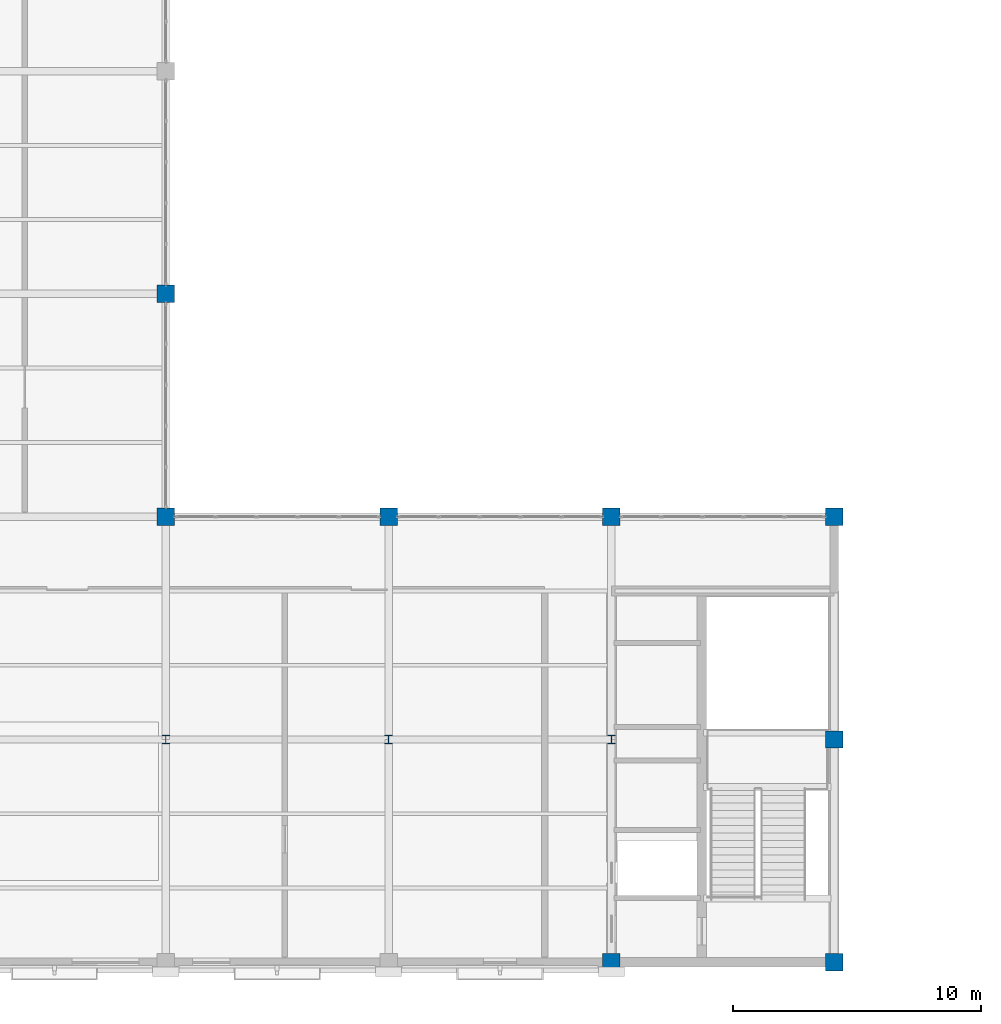
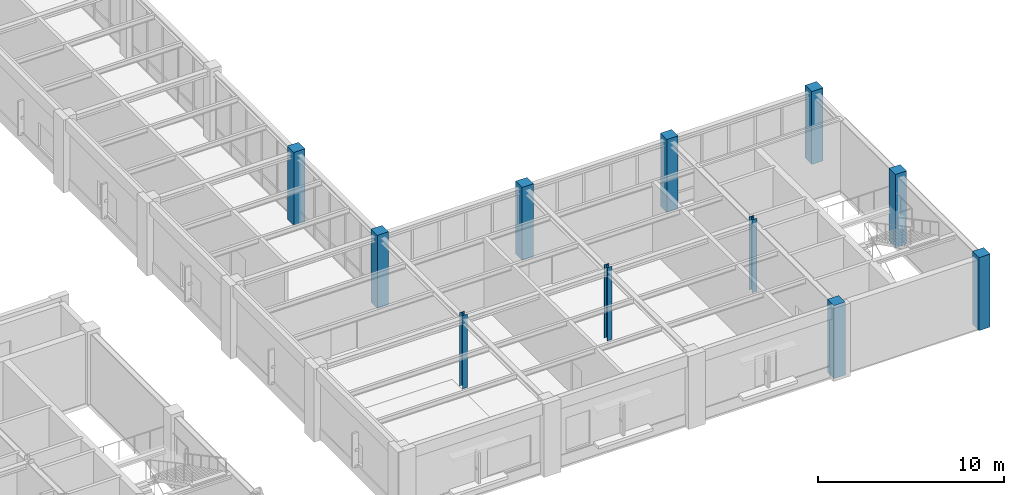
# One storey, part 6 of 98: 11 columns.
"""IFC4 building model written with IfcOpenShell, lengths in metres."""

from ifc_helpers import new_model, si_unit, direction, frame, origin, origin_2d, place, context, subcontext, project, spatial, rectangle, i_section, extrude, material, material_profile, profile_set, type_object, element, save


model = new_model("IFC4")

# Units and contexts
model_context = context("Model", 3, precision=1e-05, world=origin(), true_north=direction((0.0, 1.0)))
body_context = subcontext(model_context, "Body", "Model", "MODEL_VIEW")
ifc_project = project(units=[si_unit("LENGTHUNIT", "METRE"), si_unit("AREAUNIT", "SQUARE_METRE"), si_unit("VOLUMEUNIT", "CUBIC_METRE"), si_unit("PLANEANGLEUNIT", "RADIAN"), si_unit("MASSUNIT", "GRAM", prefix="KILO")], contexts=[model_context])

# Site, building, storey
site_placement = place(None, origin())
site = spatial("IfcSite", under=ifc_project, at=site_placement, CompositionType="ELEMENT")
building_placement = place(site_placement, origin())
building = spatial("IfcBuilding", under=site, at=building_placement, Name="Lykobir Media Centre", CompositionType="ELEMENT")
storey_placement = place(building_placement, frame((0.0, 0.0, 10.199951171875)))
storey = spatial("IfcBuildingStorey", under=building, at=storey_placement, Name="L02", CompositionType="ELEMENT", Elevation=10.199951171875)

# Columns
ifc_material_1 = material(Name="Concrete C40/50", Category="concrete")
ifc_material_profile_1 = material_profile(ifc_material_1, rectangle(XDim=0.699951171875, YDim=0.699951171875, at=origin_2d()), Name="RC 700x700")
ifc_profile_set_1 = profile_set([ifc_material_profile_1], Name="Concrete C40/50")
column_type_1 = type_object("IfcColumnType", Name="RC-C700", PredefinedType="COLUMN", material=ifc_profile_set_1)
for number, where, z_axis, x_axis, name in (
    (1, (99.0, 18.0, 0.0), (0.0, 0.0, 1.0), (1.0, 0.0, 0.0), "Column COL-L02-0990-0180"),
    (2, (99.0, 27.0, 0.0), (0.0, 0.0, 1.0), (1.0, 0.0, 0.0), "Column COL-L02-0990-0270"),
    (3, (108.0, 18.0, 0.0), (0.0, 0.0, 1.0), (1.0, 0.0, 0.0), "Column COL-L02-1080-0180"),
    (4, (117.0, 18.0, 0.0), (0.0, 0.0, 1.0), (1.0, 0.0, 0.0), "Column COL-L02-1170-0180"),
    (5, (126.0, 9.0, 0.0), (0.0, 0.0, 1.0), (1.0, 0.0, 0.0), "Column COL-L02-1260-0090"),
    (6, (126.0, 18.0, 0.0), (0.0, 0.0, 1.0), (1.0, 0.0, 0.0), "Column COL-L02-1260-0180"),
):
    element("IfcColumn", number, at=place(storey_placement, frame(where, z_axis=z_axis, x_axis=x_axis)), inside=storey, type_object=column_type_1, Name=name, PredefinedType="COLUMN", context=body_context, shape_type="SweptSolid", body=[
        extrude(rectangle(XDim=0.699951171875, YDim=0.699951171875, at=origin_2d()), origin(), (0.0, 0.0, 1.0), 4.800048828125),
    ])
ifc_material_profile_2 = material_profile(ifc_material_1, rectangle(XDim=0.699951171875, YDim=0.699951171875, at=origin_2d()), Name="RC 700x700")
ifc_profile_set_2 = profile_set([ifc_material_profile_2], Name="Concrete C40/50")
column_type_2 = type_object("IfcColumnType", Name="RC-C700-E", PredefinedType="COLUMN", material=ifc_profile_set_2)
for number, where, z_axis, x_axis, name in (
    (7, (117.0, 0.0, 0.0), (0.0, 0.0, 1.0), (1.0, 0.0, 0.0), "Column COL-L02-1170-0000"),
    (8, (126.0, 0.0, 0.0), (0.0, 0.0, 1.0), (1.0, 0.0, 0.0), "Column COL-L02-1260-0000"),
):
    element("IfcColumn", number, at=place(storey_placement, frame(where, z_axis=z_axis, x_axis=x_axis)), inside=storey, type_object=column_type_2, Name=name, PredefinedType="COLUMN", context=body_context, shape_type="SweptSolid", body=[
        extrude(rectangle(XDim=0.699951171875, YDim=0.699951171875, at=origin_2d()), origin(), (0.0, 0.0, 1.0), 4.800048828125),
    ])
ifc_material_2 = material(Name="Steel S355", Category="steel")
ifc_material_profile_3 = material_profile(ifc_material_2, i_section(OverallWidth=0.300048828125, OverallDepth=0.340087890625, WebThickness=0.011962890625, FlangeThickness=0.021484375, at=origin_2d()), Name="HEB 340")
ifc_profile_set_3 = profile_set([ifc_material_profile_3], Name="Steel S355")
column_type_3 = type_object("IfcColumnType", Name="SC-HEB340", PredefinedType="COLUMN", material=ifc_profile_set_3)
for number, where, z_axis, x_axis, name in (
    (9, (99.0, 9.0, 0.0), (0.0, 0.0, 1.0), (1.0, 0.0, 0.0), "Column COL-L02-0990-0090"),
    (10, (108.0, 9.0, 0.0), (0.0, 0.0, 1.0), (1.0, 0.0, 0.0), "Column COL-L02-1080-0090"),
    (11, (117.0, 9.0, 0.0), (0.0, 0.0, 1.0), (1.0, 0.0, 0.0), "Column COL-L02-1170-0090"),
):
    element("IfcColumn", number, at=place(storey_placement, frame(where, z_axis=z_axis, x_axis=x_axis)), inside=storey, type_object=column_type_3, Name=name, PredefinedType="COLUMN", context=body_context, shape_type="SweptSolid", body=[
        extrude(i_section(OverallWidth=0.300048828125, OverallDepth=0.340087890625, WebThickness=0.011962890625, FlangeThickness=0.021484375, at=origin_2d()), origin(), (0.0, 0.0, 1.0), 4.800048828125),
    ])

save(model, "model.ifc")
